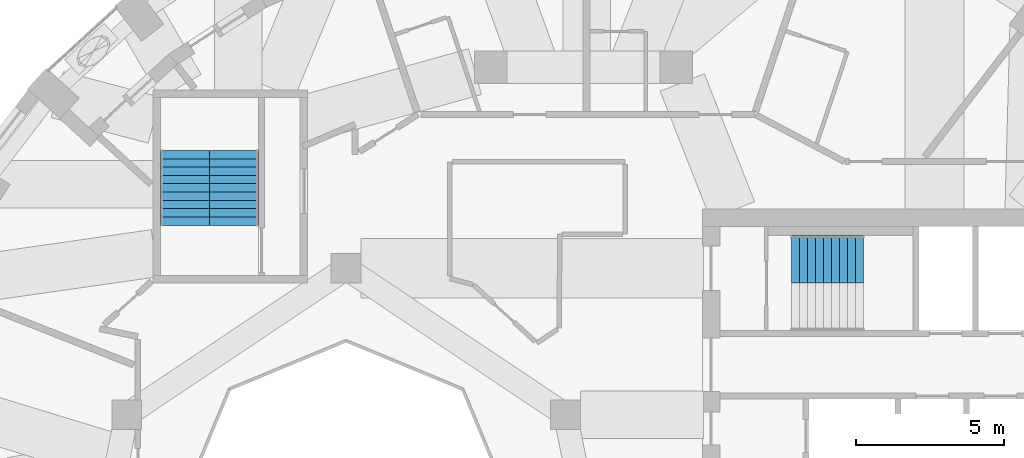
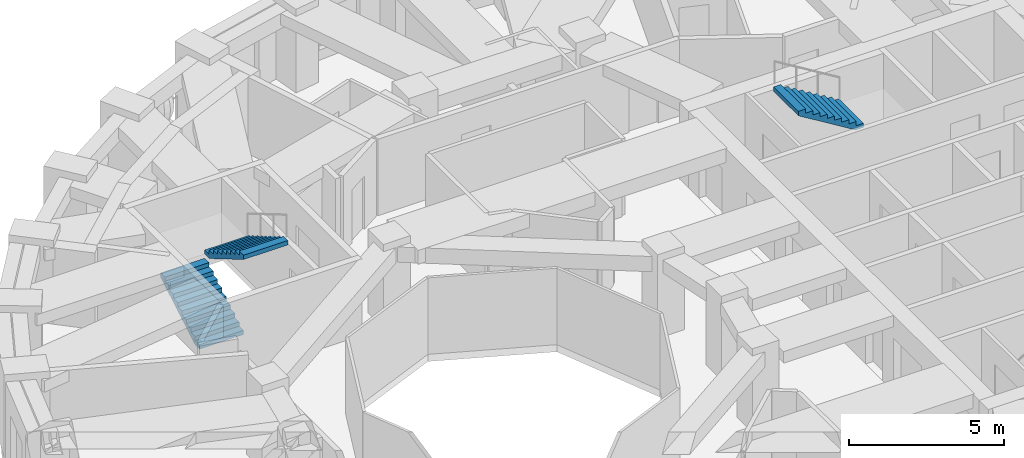
# One storey, part 9 of 12: 3 stair flights, 2 elements without a shape of their own.
"""IFC4 building model written with IfcOpenShell, lengths in metres."""

import ifcopenshell
import ifcopenshell.guid

model = None  # the IFC model being written
_history = None  # IfcOwnerHistory: only IFC2X3 demands one
_inside = {}  # id of a spatial element -> (the spatial element, [elements in it])
_under = {}  # id of a project, library or spatial element -> (it, [spatial elements below it])
_declared = {}  # id of a project -> (the project, [libraries it declares])
_typed = {}  # id of a type object -> (the type object, [elements of that type])
_made_of = {}  # id of a material, layer set ... -> (it, [elements and type objects made of it])


def new_model(schema):
    """Start an empty IFC model of exactly this schema.

    Asked for "IFC4X3", IfcOpenShell would pick the latest addendum, in which some entities
    have other attributes; the version numbers below select the first issue.
    IFC2X3 requires an IfcOwnerHistory on every rooted entity: one is made here for all.
    """
    global model, _history
    if schema == "IFC4X3":
        model = ifcopenshell.file(schema_version=(4, 3, 0, 0))
    else:
        model = ifcopenshell.file(schema=schema)
    _inside.clear()
    _under.clear()
    _declared.clear()
    _typed.clear()
    _made_of.clear()
    _history = None
    if model.schema == "IFC2X3":
        org = make("IfcOrganization", Name="unknown")
        user = make(
            "IfcPersonAndOrganization",
            ThePerson=make("IfcPerson", FamilyName="unknown"),
            TheOrganization=org,
        )
        app = make(
            "IfcApplication",
            ApplicationDeveloper=org,
            Version="unknown",
            ApplicationFullName="unknown",
            ApplicationIdentifier="unknown",
        )
        _history = make(
            "IfcOwnerHistory",
            OwningUser=user,
            OwningApplication=app,
            ChangeAction="ADDED",
            CreationDate=0,
        )
    return model


def make(cls, **values):
    """One entity of the class cls with the attributes given. An attribute that is None is left unset."""
    return model.create_entity(
        cls, **{name: value for name, value in values.items() if value is not None}
    )


def rooted(cls, **values):
    """An entity with a GlobalId (a new one), such as an element, a storey or a relation."""
    return make(cls, GlobalId=ifcopenshell.guid.new(), OwnerHistory=_history, **values)


def si_unit(unit_type, name, prefix=None):
    """IfcSIUnit, for example si_unit("LENGTHUNIT", "METRE", prefix="MILLI")."""
    return make("IfcSIUnit", UnitType=unit_type, Prefix=prefix, Name=name)


def assignment(units):
    """IfcUnitAssignment: the units of a project."""
    return None if units is None else make("IfcUnitAssignment", Units=units)


def point(xyz):
    """IfcCartesianPoint."""
    return None if xyz is None else make("IfcCartesianPoint", Coordinates=xyz)


def direction(xyz):
    """IfcDirection."""
    return None if xyz is None else make("IfcDirection", DirectionRatios=xyz)


def frame(location, z_axis=None, x_axis=None):
    """IfcAxis2Placement3D, a coordinate frame: its origin and axes. An axis left out is left unset."""
    return make(
        "IfcAxis2Placement3D",
        Location=point(location),
        Axis=direction(z_axis),
        RefDirection=direction(x_axis),
    )


def origin():
    """The frame at (0, 0, 0) with its axes left unset."""
    return frame((0.0, 0.0, 0.0))


def place(relative_to, where):
    """IfcLocalPlacement: puts the frame where relative to a parent placement (None: the world)."""
    return make(
        "IfcLocalPlacement", PlacementRelTo=relative_to, RelativePlacement=where
    )


def context(
    kind, dimensions, precision=None, world=None, true_north=None, identifier=None
):
    """IfcGeometricRepresentationContext, for example the 3D "Model" context."""
    return make(
        "IfcGeometricRepresentationContext",
        ContextIdentifier=identifier,
        ContextType=kind,
        CoordinateSpaceDimension=dimensions,
        Precision=precision,
        WorldCoordinateSystem=world,
        TrueNorth=true_north,
    )


def subcontext(parent, identifier, kind, view, scale=None):
    """IfcGeometricRepresentationSubContext, for example "Body" below "Model"."""
    return make(
        "IfcGeometricRepresentationSubContext",
        ContextIdentifier=identifier,
        ContextType=kind,
        ParentContext=parent,
        TargetScale=scale,
        TargetView=view,
    )


def project(units=None, contexts=None):
    """IfcProject with its units and contexts."""
    return rooted(
        "IfcProject",
        Name="project",
        RepresentationContexts=contexts,
        UnitsInContext=assignment(units),
    )


def spatial(cls, under=None, at=None, **own):
    """A site, building, storey or space (cls), placed at a placement, below another one or the project."""
    s = rooted(cls, ObjectPlacement=at, **own)
    if under is not None:
        _under.setdefault(under.id(), (under, []))[1].append(s)
    return s


def polyline(points):
    """IfcPolyline through the points."""
    return make("IfcPolyline", Points=[point(p) for p in points])


def outline(outer, holes=None, kind="AREA"):
    """IfcArbitraryClosedProfileDef: a profile drawn as a closed curve; with holes, ...WithVoids."""
    if holes is None:
        return make("IfcArbitraryClosedProfileDef", ProfileType=kind, OuterCurve=outer)
    return make(
        "IfcArbitraryProfileDefWithVoids",
        ProfileType=kind,
        OuterCurve=outer,
        InnerCurves=holes,
    )


def extrude(swept, where, along, depth):
    """IfcExtrudedAreaSolid: the profile swept, set in the frame where, extruded along a direction by depth."""
    return make(
        "IfcExtrudedAreaSolid",
        SweptArea=swept,
        Position=where,
        ExtrudedDirection=direction(along),
        Depth=depth,
    )


def shape(context_of_items, identifier, shape_type, items):
    """IfcShapeRepresentation: the items that make up one representation, for example the "Body"."""
    return make(
        "IfcShapeRepresentation",
        ContextOfItems=context_of_items,
        RepresentationIdentifier=identifier,
        RepresentationType=shape_type,
        Items=items,
    )


def material(Name=None, Category=None):
    """IfcMaterial."""
    return make("IfcMaterial", Name=Name, Category=Category)


def made_of(thing, what):
    """Note that an element or type object is made of a material, layer set ...; save() writes the relation."""
    if what is not None:
        _made_of.setdefault(what.id(), (what, []))[1].append(thing)
    return thing


def type_object(cls, material=None, **own):
    """A type object (cls), such as IfcWallType, which elements share."""
    return made_of(rooted(cls, **own), material)


def element(
    cls,
    number,
    at=None,
    inside=None,
    cuts=None,
    type_object=None,
    material=None,
    context=None,
    identifier="Body",
    shape_type=None,
    held_by="IfcProductDefinitionShape",
    body=None,
    shapes=None,
    **own,
):
    """One element of the class cls, such as IfcWall. Its Tag is "e" and its number.

    at: its placement. inside: the storey or other place that contains it. cuts: it is an
    opening in that element (IfcRelVoidsElement). A single representation is given by context,
    identifier, shape_type and body (its items); several are given by shapes. held_by: the class
    of the entity that holds the representations. save() writes the other relations.
    """
    e = rooted(cls, Tag="e%d" % number, ObjectPlacement=at, **own)
    if body is not None:
        shapes = [shape(context, identifier, shape_type, body)]
    if shapes is not None:
        e.Representation = make(held_by, Representations=shapes)
    if inside is not None:
        _inside.setdefault(inside.id(), (inside, []))[1].append(e)
    if cuts is not None:
        rooted(
            "IfcRelVoidsElement", RelatingBuildingElement=cuts, RelatedOpeningElement=e
        )
    if type_object is not None:
        _typed.setdefault(type_object.id(), (type_object, []))[1].append(e)
    return made_of(e, material)


def aggregate(whole, parts):
    """IfcRelAggregates: a whole, such as a stair, and the parts it consists of."""
    return rooted("IfcRelAggregates", RelatingObject=whole, RelatedObjects=parts)


def save(model, path):
    """Write the relations noted so far, then the file.

    IfcRelAggregates (storeys below a building ...), IfcRelContainedInSpatialStructure (elements
    in a storey), IfcRelDefinesByType, IfcRelAssociatesMaterial and IfcRelDeclares: one each for
    every whole, place, type object, material and project.
    """
    for whole, parts in _under.values():
        aggregate(whole, parts)
    for where, things in _inside.values():
        rooted(
            "IfcRelContainedInSpatialStructure",
            RelatedElements=things,
            RelatingStructure=where,
        )
    for kind, things in _typed.values():
        rooted("IfcRelDefinesByType", RelatedObjects=things, RelatingType=kind)
    for what, things in _made_of.values():
        rooted("IfcRelAssociatesMaterial", RelatedObjects=things, RelatingMaterial=what)
    for by, libraries in _declared.values():
        rooted("IfcRelDeclares", RelatingContext=by, RelatedDefinitions=libraries)
    model.write(path)


model = new_model("IFC4")

# Units and contexts
model_context = context("Model", 3, precision=1e-05, world=origin(), true_north=direction((0.0, 1.0)))
body_context = subcontext(model_context, "Body", "Model", "MODEL_VIEW")
ifc_project = project(units=[si_unit("LENGTHUNIT", "METRE"), si_unit("AREAUNIT", "SQUARE_METRE"), si_unit("VOLUMEUNIT", "CUBIC_METRE"), si_unit("PLANEANGLEUNIT", "RADIAN"), si_unit("MASSUNIT", "GRAM", prefix="KILO")], contexts=[model_context])

# Site, building, storey
site_placement = place(None, origin())
site = spatial("IfcSite", under=ifc_project, at=site_placement, CompositionType="ELEMENT")
building_placement = place(site_placement, origin())
building = spatial("IfcBuilding", under=site, at=building_placement, Name="Taillehof Tower", CompositionType="ELEMENT")
storey_placement = place(building_placement, frame((0.0, 0.0, 171.5)))
storey = spatial("IfcBuildingStorey", under=building, at=storey_placement, Name="L48", CompositionType="ELEMENT", Elevation=171.5)

# Stair, stair flight
ifc_material_1 = material(Name="Concrete C40/50", Category="concrete")
stair_type = type_object("IfcStairType", Name="Exit stair half-turn", PredefinedType="HALF_TURN_STAIR", material=ifc_material_1)
stair_1_placement = place(storey_placement, origin())
stair_1 = element("IfcStair", 1, at=stair_1_placement, inside=storey, type_object=stair_type, Name="Exit stair S1", PredefinedType="HALF_TURN_STAIR")
ifc_material_2 = material(Name="Concrete C40/50", Category="concrete")
stair_flight_type_1 = type_object("IfcStairFlightType", Name="Stair flight 1600 riser 165.0 going 270", PredefinedType="STRAIGHT", material=ifc_material_2)
stair_flight_1_placement = place(storey_placement, frame((9.429931640625, 8.300048828125, 1.64990234375), z_axis=(0.0, 0.0, 1.0), x_axis=(-1.0, 0.0, 0.0)))
stair_flight_1 = element("IfcStairFlight", 2, at=stair_flight_1_placement, type_object=stair_flight_type_1, Name="S1 flight 2", NumberOfRisers=10, NumberOfTreads=9, PredefinedType="STRAIGHT", RiserHeight=0.165, TreadLength=0.27, context=body_context, shape_type="SweptSolid", body=[
    extrude(outline(polyline([(0.0, 0.0), (0.0, 0.00537109375), (0.0, 0.0107421875), (0.0, 0.015869140625), (0.0, 0.021240234375), (0.0, 0.026611328125), (0.0, 0.031982421875), (0.0, 0.037353515625), (0.0, 0.04248046875), (0.0, 0.0478515625), (0.0, 0.05322265625), (0.0, 0.05859375), (0.0, 0.06396484375), (0.0, 0.069091796875), (0.0, 0.074462890625), (0.0, 0.079833984375), (0.0, 0.085205078125), (0.0, 0.090576171875), (0.0, 0.095703125), (0.0, 0.10107421875), (0.0, 0.1064453125), (0.0, 0.11181640625), (0.0, 0.1171875), (0.0, 0.122314453125), (0.0, 0.127685546875), (0.0, 0.133056640625), (0.0, 0.138427734375), (0.0, 0.143798828125), (0.0, 0.14892578125), (0.0, 0.154296875), (0.0, 0.15966796875), (0.0, 0.1650390625), (0.27001953125, 0.1650390625), (0.27001953125, 0.330078125), (0.5400390625, 0.330078125), (0.5400390625, 0.4951171875), (0.81005859375, 0.4951171875), (0.81005859375, 0.659912109375), (1.080078125, 0.659912109375), (1.080078125, 0.824951171875), (1.35009765625, 0.824951171875), (1.35009765625, 0.989990234375), (1.6201171875, 0.989990234375), (1.6201171875, 1.155029296875), (1.889892578125, 1.155029296875), (1.889892578125, 1.320068359375), (2.159912109375, 1.320068359375), (2.159912109375, 1.485107421875), (2.429931640625, 1.485107421875), (2.429931640625, 1.479248046875), (2.429931640625, 1.4736328125), (2.429931640625, 1.468017578125), (2.429931640625, 1.46240234375), (2.429931640625, 1.45654296875), (2.429931640625, 1.450927734375), (2.429931640625, 1.4453125), (2.429931640625, 1.439697265625), (2.429931640625, 1.43408203125), (2.429931640625, 1.42822265625), (2.429931640625, 1.422607421875), (2.429931640625, 1.4169921875), (2.429931640625, 1.411376953125), (2.429931640625, 1.40576171875), (2.429931640625, 1.39990234375), (2.429931640625, 1.394287109375), (2.429931640625, 1.388671875), (2.429931640625, 1.383056640625), (2.429931640625, 1.37744140625), (2.429931640625, 1.37158203125), (2.429931640625, 1.365966796875), (2.429931640625, 1.3603515625), (2.429931640625, 1.354736328125), (2.429931640625, 1.348876953125), (2.429931640625, 1.34326171875), (2.429931640625, 1.337646484375), (2.429931640625, 1.33203125), (2.429931640625, 1.326416015625), (2.429931640625, 1.320556640625), (2.429931640625, 1.31494140625), (2.429931640625, 1.309326171875), (0.287353515625, 0.0), (0.0, 0.0)])), frame((0.0, 0.800048828125, 0.0), z_axis=(0.0, -1.0, 0.0), x_axis=(1.0, 0.0, 0.0)), (0.0, 0.0, 1.0), 1.6),
])
aggregate(stair_1, [stair_flight_1])

# Stair, stair flights
stair_2_placement = place(storey_placement, origin())
stair_2 = element("IfcStair", 3, at=stair_2_placement, inside=storey, type_object=stair_type, Name="Exit stair S3", PredefinedType="HALF_TURN_STAIR")
ifc_material_3 = material(Name="Concrete C40/50", Category="concrete")
stair_flight_type_2 = type_object("IfcStairFlightType", Name="Stair flight 1650 riser 165.0 going 280", PredefinedType="STRAIGHT", material=ifc_material_3)
stair_flight_2_placement = place(storey_placement, frame((-13.425048828125, 9.449951171875, 0.0), z_axis=(0.0, 0.0, 1.0), x_axis=(0.0, 1.0, 0.0)))
stair_flight_2 = element("IfcStairFlight", 4, at=stair_flight_2_placement, type_object=stair_flight_type_2, Name="S3 flight 1", NumberOfRisers=10, NumberOfTreads=9, PredefinedType="STRAIGHT", RiserHeight=0.165, TreadLength=0.28, context=body_context, shape_type="SweptSolid", body=[
    extrude(outline(polyline([(0.0, 0.0), (0.0, 0.00537109375), (0.0, 0.0107421875), (0.0, 0.015869140625), (0.0, 0.021240234375), (0.0, 0.026611328125), (0.0, 0.031982421875), (0.0, 0.037353515625), (0.0, 0.04248046875), (0.0, 0.0478515625), (0.0, 0.05322265625), (0.0, 0.05859375), (0.0, 0.06396484375), (0.0, 0.069091796875), (0.0, 0.074462890625), (0.0, 0.079833984375), (0.0, 0.085205078125), (0.0, 0.090576171875), (0.0, 0.095703125), (0.0, 0.10107421875), (0.0, 0.1064453125), (0.0, 0.11181640625), (0.0, 0.1171875), (0.0, 0.122314453125), (0.0, 0.127685546875), (0.0, 0.133056640625), (0.0, 0.138427734375), (0.0, 0.143798828125), (0.0, 0.14892578125), (0.0, 0.154296875), (0.0, 0.15966796875), (0.0, 0.1650390625), (0.280029296875, 0.1650390625), (0.280029296875, 0.330078125), (0.56005859375, 0.330078125), (0.56005859375, 0.4951171875), (0.840087890625, 0.4951171875), (0.840087890625, 0.659912109375), (1.1201171875, 0.659912109375), (1.1201171875, 0.824951171875), (1.39990234375, 0.824951171875), (1.39990234375, 0.989990234375), (1.679931640625, 0.989990234375), (1.679931640625, 1.155029296875), (1.9599609375, 1.155029296875), (1.9599609375, 1.320068359375), (2.239990234375, 1.320068359375), (2.239990234375, 1.485107421875), (2.52001953125, 1.485107421875), (2.52001953125, 1.4794921875), (2.52001953125, 1.473876953125), (2.52001953125, 1.46826171875), (2.52001953125, 1.462646484375), (2.52001953125, 1.45703125), (2.52001953125, 1.451416015625), (2.52001953125, 1.44580078125), (2.52001953125, 1.440185546875), (2.52001953125, 1.4345703125), (2.52001953125, 1.428955078125), (2.52001953125, 1.42333984375), (2.52001953125, 1.417724609375), (2.52001953125, 1.412109375), (2.52001953125, 1.406494140625), (2.52001953125, 1.40087890625), (2.52001953125, 1.395263671875), (2.52001953125, 1.3896484375), (2.52001953125, 1.384033203125), (2.52001953125, 1.37841796875), (2.52001953125, 1.372802734375), (2.52001953125, 1.3671875), (2.52001953125, 1.361572265625), (2.52001953125, 1.35595703125), (2.52001953125, 1.350341796875), (2.52001953125, 1.3447265625), (2.52001953125, 1.339111328125), (2.52001953125, 1.33349609375), (2.52001953125, 1.327880859375), (2.52001953125, 1.322265625), (2.52001953125, 1.316650390625), (2.52001953125, 1.31103515625), (0.295166015625, 0.0), (0.0, 0.0)])), frame((0.0, 0.824951171875, 0.0), z_axis=(0.0, -1.0, 0.0), x_axis=(1.0, 0.0, 0.0)), (0.0, 0.0, 1.0), 1.65),
])
stair_flight_3_placement = place(storey_placement, frame((-11.77490234375, 11.969970703125, 1.64990234375), z_axis=(0.0, 0.0, 1.0), x_axis=(0.0, -1.0, 0.0)))
stair_flight_3 = element("IfcStairFlight", 5, at=stair_flight_3_placement, type_object=stair_flight_type_2, Name="S3 flight 2", NumberOfRisers=10, NumberOfTreads=9, PredefinedType="STRAIGHT", RiserHeight=0.165, TreadLength=0.28, context=body_context, shape_type="SweptSolid", body=[
    extrude(outline(polyline([(0.0, 0.0), (0.0, 0.00537109375), (0.0, 0.0107421875), (0.0, 0.015869140625), (0.0, 0.021240234375), (0.0, 0.026611328125), (0.0, 0.031982421875), (0.0, 0.037353515625), (0.0, 0.04248046875), (0.0, 0.0478515625), (0.0, 0.05322265625), (0.0, 0.05859375), (0.0, 0.06396484375), (0.0, 0.069091796875), (0.0, 0.074462890625), (0.0, 0.079833984375), (0.0, 0.085205078125), (0.0, 0.090576171875), (0.0, 0.095703125), (0.0, 0.10107421875), (0.0, 0.1064453125), (0.0, 0.11181640625), (0.0, 0.1171875), (0.0, 0.122314453125), (0.0, 0.127685546875), (0.0, 0.133056640625), (0.0, 0.138427734375), (0.0, 0.143798828125), (0.0, 0.14892578125), (0.0, 0.154296875), (0.0, 0.15966796875), (0.0, 0.1650390625), (0.280029296875, 0.1650390625), (0.280029296875, 0.330078125), (0.56005859375, 0.330078125), (0.56005859375, 0.4951171875), (0.840087890625, 0.4951171875), (0.840087890625, 0.659912109375), (1.1201171875, 0.659912109375), (1.1201171875, 0.824951171875), (1.39990234375, 0.824951171875), (1.39990234375, 0.989990234375), (1.679931640625, 0.989990234375), (1.679931640625, 1.155029296875), (1.9599609375, 1.155029296875), (1.9599609375, 1.320068359375), (2.239990234375, 1.320068359375), (2.239990234375, 1.485107421875), (2.52001953125, 1.485107421875), (2.52001953125, 1.4794921875), (2.52001953125, 1.473876953125), (2.52001953125, 1.46826171875), (2.52001953125, 1.462646484375), (2.52001953125, 1.45703125), (2.52001953125, 1.451416015625), (2.52001953125, 1.44580078125), (2.52001953125, 1.440185546875), (2.52001953125, 1.4345703125), (2.52001953125, 1.428955078125), (2.52001953125, 1.42333984375), (2.52001953125, 1.417724609375), (2.52001953125, 1.412109375), (2.52001953125, 1.406494140625), (2.52001953125, 1.40087890625), (2.52001953125, 1.395263671875), (2.52001953125, 1.3896484375), (2.52001953125, 1.384033203125), (2.52001953125, 1.37841796875), (2.52001953125, 1.372802734375), (2.52001953125, 1.3671875), (2.52001953125, 1.361572265625), (2.52001953125, 1.35595703125), (2.52001953125, 1.350341796875), (2.52001953125, 1.3447265625), (2.52001953125, 1.339111328125), (2.52001953125, 1.33349609375), (2.52001953125, 1.327880859375), (2.52001953125, 1.322265625), (2.52001953125, 1.316650390625), (2.52001953125, 1.31103515625), (0.295166015625, 0.0), (0.0, 0.0)])), frame((0.0, 0.824951171875, 0.0), z_axis=(0.0, -1.0, 0.0), x_axis=(1.0, 0.0, 0.0)), (0.0, 0.0, 1.0), 1.65),
])
aggregate(stair_2, [stair_flight_2, stair_flight_3])

save(model, "model.ifc")
